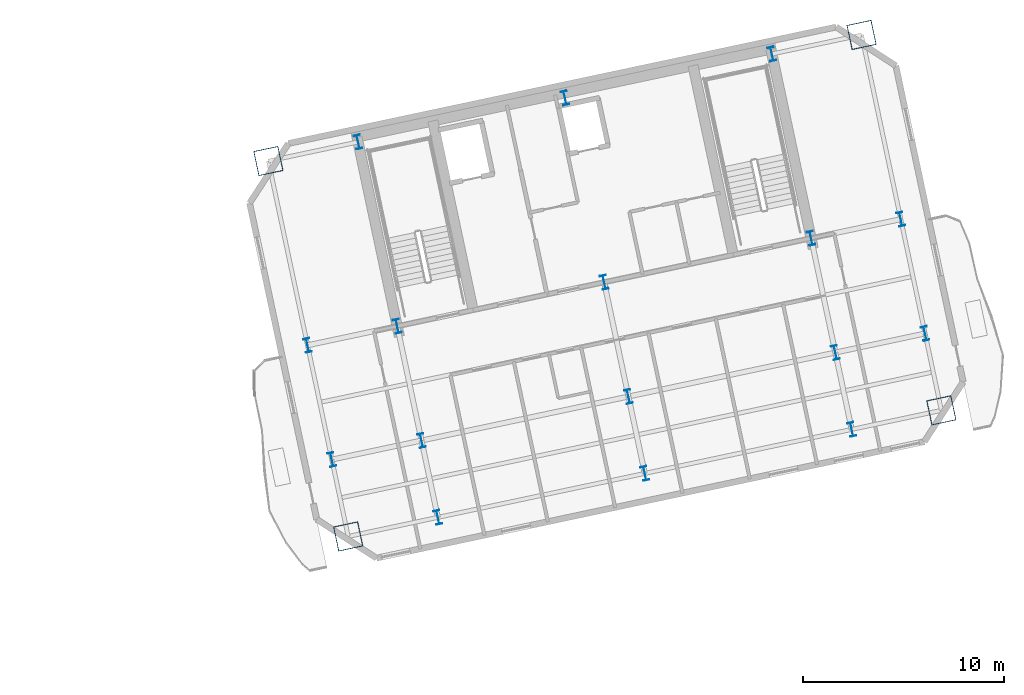
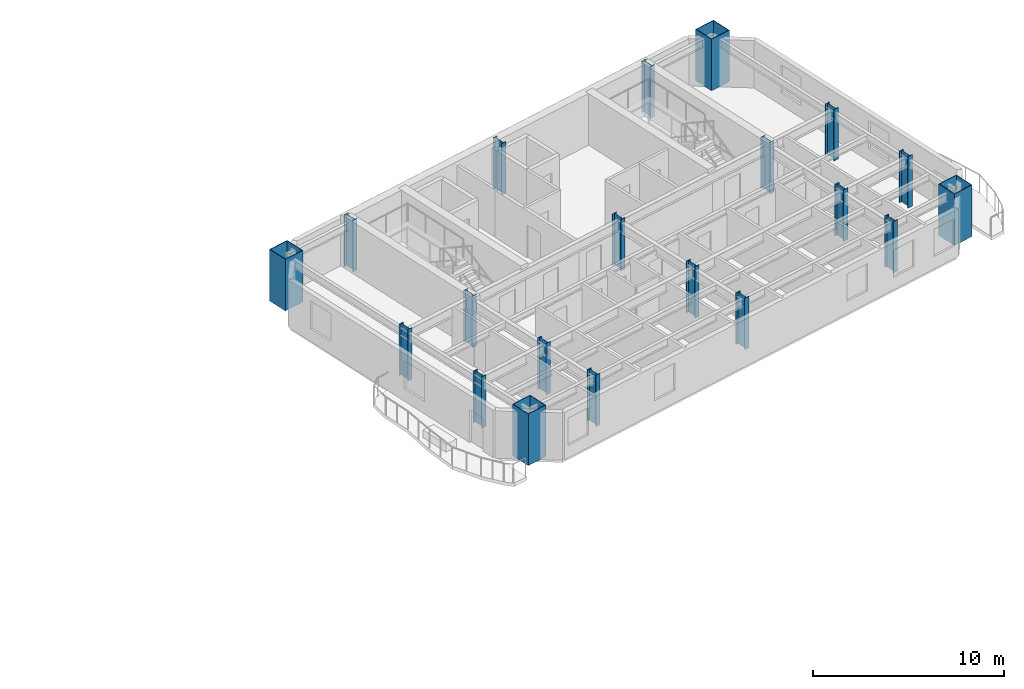
# One storey, part 2 of 13: 20 columns.
"""IFC4 building model written with IfcOpenShell, lengths in metres."""

from ifc_helpers import new_model, si_unit, direction, frame, origin, origin_2d, place, context, subcontext, project, spatial, hollow_rectangle, i_section, extrude, material, material_profile, profile_set, type_object, element, save


model = new_model("IFC4")

# Units and contexts
model_context = context("Model", 3, precision=1e-05, world=origin(), true_north=direction((0.0, 1.0)))
body_context = subcontext(model_context, "Body", "Model", "MODEL_VIEW")
ifc_project = project(units=[si_unit("LENGTHUNIT", "METRE"), si_unit("AREAUNIT", "SQUARE_METRE"), si_unit("VOLUMEUNIT", "CUBIC_METRE"), si_unit("PLANEANGLEUNIT", "RADIAN"), si_unit("MASSUNIT", "GRAM", prefix="KILO")], contexts=[model_context])

# Site, building, storey
site_placement = place(None, origin())
site = spatial("IfcSite", under=ifc_project, at=site_placement, CompositionType="ELEMENT")
building_placement = place(site_placement, origin())
building = spatial("IfcBuilding", under=site, at=building_placement, Name="Haevon Station Towers", CompositionType="ELEMENT")
storey_placement = place(building_placement, frame((0.0, 0.0, 142.800048828125)))
storey = spatial("IfcBuildingStorey", under=building, at=storey_placement, Name="L38", CompositionType="ELEMENT", Elevation=142.800048828125)

# Columns
ifc_material_1 = material(Name="Steel S460", Category="steel")
ifc_material_profile_1 = material_profile(ifc_material_1, hollow_rectangle(XDim=1.25, YDim=1.25, WallThickness=0.034912109375, at=origin_2d()), Name="BOX-1250x1250x35")
ifc_profile_set_1 = profile_set([ifc_material_profile_1], Name="Steel S460")
column_type_1 = type_object("IfcColumnType", Name="COL-MC4", PredefinedType="COLUMN", material=ifc_profile_set_1)
for number, where, z_axis, x_axis, name in (
    (1, (96.318603515625, 27.00830078125, 0.0), (0.0, 0.0, 1.0), (0.978147600734, 0.207911690818, 0.0), "COL-T2-L38-01-01"),
    (2, (92.35791015625, 45.64208984375, 0.0), (0.0, 0.0, 1.0), (0.978147600734, 0.207911690818, 0.0), "COL-T2-L38-01-04"),
    (3, (125.7607421875, 33.2666015625, 0.0), (0.0, 0.0, 1.0), (0.978147600734, 0.207911690818, 0.0), "COL-T2-L38-05-01"),
    (4, (121.800048828125, 51.900146484375, 0.0), (0.0, 0.0, 1.0), (0.978147600734, 0.207911690818, 0.0), "COL-T2-L38-05-04"),
):
    element("IfcColumn", number, at=place(storey_placement, frame(where, z_axis=z_axis, x_axis=x_axis)), inside=storey, type_object=column_type_1, Name=name, PredefinedType="COLUMN", context=body_context, shape_type="SweptSolid", body=[
        extrude(hollow_rectangle(XDim=1.25, YDim=1.25, WallThickness=0.034912109375, at=origin_2d()), origin(), (0.0, 0.0, 1.0), 3.300048828125),
    ])
ifc_material_2 = material(Name="Steel S355", Category="steel")
ifc_material_profile_2 = material_profile(ifc_material_2, i_section(OverallWidth=0.300048828125, OverallDepth=0.699951171875, WebThickness=0.01611328125, FlangeThickness=0.028076171875, at=origin_2d()), Name="H-700x300x16x28")
ifc_profile_set_2 = profile_set([ifc_material_profile_2], Name="Steel S355")
column_type_2 = type_object("IfcColumnType", Name="COL-TW3", PredefinedType="COLUMN", material=ifc_profile_set_2)
for number, where, z_axis, x_axis, name in (
    (5, (95.507568359375, 30.8232421875, 0.0), (0.0, 0.0, 1.0), (0.978147600734, 0.207911690818, 0.0), "COL-T2-L38-01-02"),
    (6, (94.3017578125, 36.496337890625, 0.0), (0.0, 0.0, 1.0), (0.978147600734, 0.207911690818, 0.0), "COL-T2-L38-01-03"),
    (7, (100.76904296875, 27.954345703125, 0.0), (0.0, 0.0, 1.0), (0.978147600734, 0.207911690818, 0.0), "COL-T2-L38-02-01"),
    (8, (99.958251953125, 31.76904296875, 0.0), (0.0, 0.0, 1.0), (0.978147600734, 0.207911690818, 0.0), "COL-T2-L38-02-02"),
    (9, (98.75244140625, 37.4423828125, 0.0), (0.0, 0.0, 1.0), (0.978147600734, 0.207911690818, 0.0), "COL-T2-L38-02-03"),
    (10, (96.808349609375, 46.588134765625, 0.0), (0.0, 0.0, 1.0), (0.978147600734, 0.207911690818, 0.0), "COL-T2-L38-02-04"),
    (11, (111.03955078125, 30.137451171875, 0.0), (0.0, 0.0, 1.0), (0.978147600734, 0.207911690818, 0.0), "COL-T2-L38-03-01"),
    (12, (110.228759765625, 33.9521484375, 0.0), (0.0, 0.0, 1.0), (0.978147600734, 0.207911690818, 0.0), "COL-T2-L38-03-02"),
    (13, (109.02294921875, 39.62548828125, 0.0), (0.0, 0.0, 1.0), (0.978147600734, 0.207911690818, 0.0), "COL-T2-L38-03-03"),
    (14, (107.078857421875, 48.771240234375, 0.0), (0.0, 0.0, 1.0), (0.978147600734, 0.207911690818, 0.0), "COL-T2-L38-03-04"),
    (15, (121.310302734375, 32.320556640625, 0.0), (0.0, 0.0, 1.0), (0.978147600734, 0.207911690818, 0.0), "COL-T2-L38-04-01"),
    (16, (120.499267578125, 36.13525390625, 0.0), (0.0, 0.0, 1.0), (0.978147600734, 0.207911690818, 0.0), "COL-T2-L38-04-02"),
    (17, (119.29345703125, 41.80859375, 0.0), (0.0, 0.0, 1.0), (0.978147600734, 0.207911690818, 0.0), "COL-T2-L38-04-03"),
    (18, (117.349365234375, 50.954345703125, 0.0), (0.0, 0.0, 1.0), (0.978147600734, 0.207911690818, 0.0), "COL-T2-L38-04-04"),
    (19, (124.949951171875, 37.081298828125, 0.0), (0.0, 0.0, 1.0), (0.978147600734, 0.207911690818, 0.0), "COL-T2-L38-05-02"),
    (20, (123.744140625, 42.754638671875, 0.0), (0.0, 0.0, 1.0), (0.978147600734, 0.207911690818, 0.0), "COL-T2-L38-05-03"),
):
    element("IfcColumn", number, at=place(storey_placement, frame(where, z_axis=z_axis, x_axis=x_axis)), inside=storey, type_object=column_type_2, Name=name, PredefinedType="COLUMN", context=body_context, shape_type="SweptSolid", body=[
        extrude(i_section(OverallWidth=0.300048828125, OverallDepth=0.699951171875, WebThickness=0.01611328125, FlangeThickness=0.028076171875, at=origin_2d()), origin(), (0.0, 0.0, 1.0), 3.300048828125),
    ])

save(model, "model.ifc")
